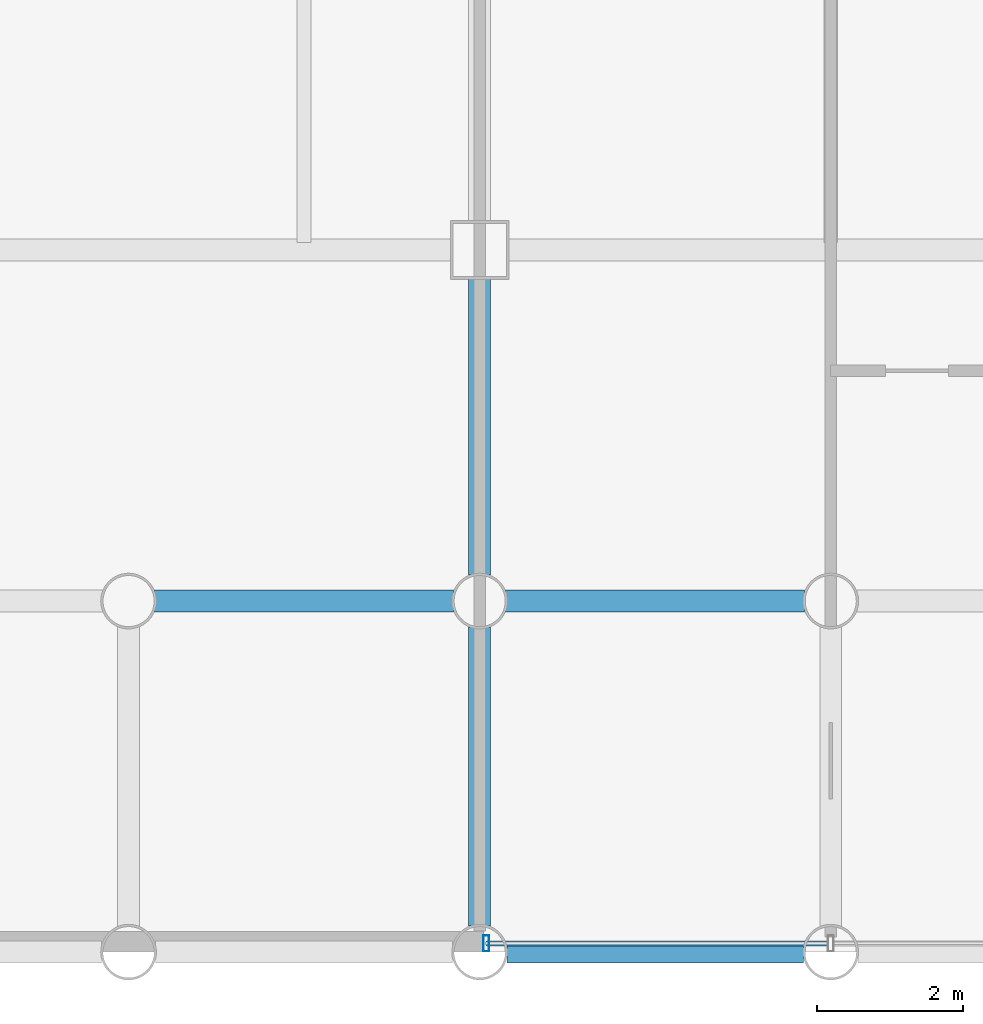
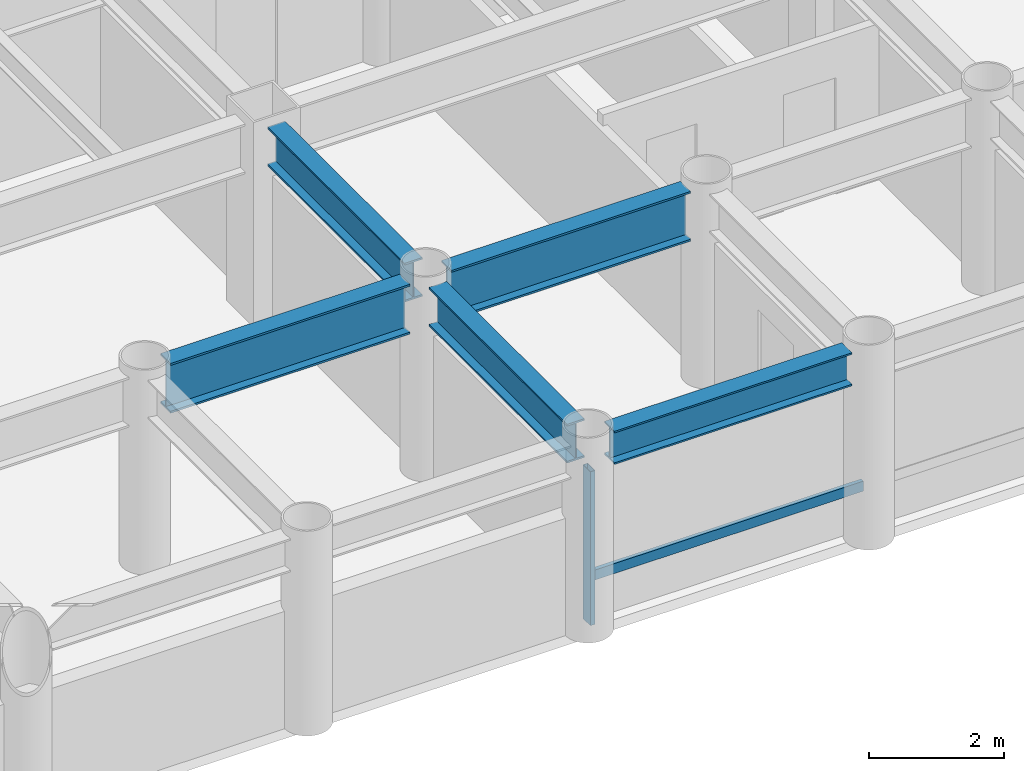
# One storey, part 2 of 21: 5 beams, 2 members, 1 element without a shape of its own.
"""IFC4 building model written with IfcOpenShell, lengths in metres."""

from ifc_helpers import new_model, si_unit, direction, frame, origin, origin_2d, place, context, subcontext, project, spatial, hollow_rectangle, i_section, extrude, material, layer, layer_set, material_profile, profile_set, type_object, element, aggregate, save


model = new_model("IFC4")

# Units and contexts
model_context = context("Model", 3, precision=1e-05, world=origin(), true_north=direction((0.0, 1.0)))
body_context = subcontext(model_context, "Body", "Model", "MODEL_VIEW")
ifc_project = project(units=[si_unit("LENGTHUNIT", "METRE"), si_unit("AREAUNIT", "SQUARE_METRE"), si_unit("VOLUMEUNIT", "CUBIC_METRE"), si_unit("PLANEANGLEUNIT", "RADIAN"), si_unit("MASSUNIT", "GRAM", prefix="KILO")], contexts=[model_context])

# Site, building, storey
site_placement = place(None, origin())
site = spatial("IfcSite", under=ifc_project, at=site_placement, CompositionType="ELEMENT")
building_placement = place(site_placement, origin())
building = spatial("IfcBuilding", under=site, at=building_placement, Name="Kallvorn Hotel Tower", CompositionType="ELEMENT")
storey_placement = place(building_placement, frame((0.0, 0.0, 44.800048828125)))
storey = spatial("IfcBuildingStorey", under=building, at=storey_placement, Name="L09", CompositionType="ELEMENT", Elevation=44.800048828125)

# Beams
ifc_material_1 = material(Name="Structural steel S355JR", Category="steel")
ifc_material_profile_1 = material_profile(ifc_material_1, i_section(OverallWidth=0.300048828125, OverallDepth=0.60009765625, WebThickness=0.015380859375, FlangeThickness=0.030029296875, at=origin_2d()), Name="HE 600 B")
ifc_profile_set_1 = profile_set([ifc_material_profile_1], Name="Structural steel S355JR")
beam_type_1 = type_object("IfcBeamType", Name="BM_HE600B", PredefinedType="SPANDREL", material=ifc_profile_set_1)
beam_1_placement = place(storey_placement, frame((-4.428955078125, -24.0, 3.219970703125), z_axis=(1.0, 0.0, 0.0), x_axis=(0.0, 1.0, 0.0)))
element("IfcBeam", 1, at=beam_1_placement, inside=storey, type_object=beam_type_1, Name="L10 Perimeter Spandrel 156", PredefinedType="SPANDREL", context=body_context, shape_type="SweptSolid", body=[
    extrude(i_section(OverallWidth=0.300048828125, OverallDepth=0.60009765625, WebThickness=0.015380859375, FlangeThickness=0.030029296875, at=origin_2d()), origin(), (0.0, 0.0, 1.0), 4.057861328125),
])
ifc_material_2 = material(Name="Structural steel S355JR", Category="steel")
ifc_material_profile_2 = material_profile(ifc_material_2, i_section(OverallWidth=0.300048828125, OverallDepth=0.699951171875, WebThickness=0.01708984375, FlangeThickness=0.031982421875, at=origin_2d()), Name="HE 700 B")
ifc_profile_set_2 = profile_set([ifc_material_profile_2], Name="Structural steel S355JR")
beam_type_2 = type_object("IfcBeamType", Name="BM_HE700B", PredefinedType="BEAM", material=ifc_profile_set_2)
beam_2_placement = place(storey_placement, frame((-4.800048828125, -23.64404296875, 3.169921875), z_axis=(0.0, 1.0, 0.0), x_axis=(-1.0, 0.0, 0.0)))
element("IfcBeam", 2, at=beam_2_placement, inside=storey, type_object=beam_type_2, Name="L10 Primary Y-Girder 106", PredefinedType="BEAM", context=body_context, shape_type="SweptSolid", body=[
    extrude(i_section(OverallWidth=0.300048828125, OverallDepth=0.699951171875, WebThickness=0.01708984375, FlangeThickness=0.031982421875, at=origin_2d()), origin(), (0.0, 0.0, 1.0), 4.088134765625),
])
beam_3_placement = place(storey_placement, frame((-4.800048828125, -18.843994140625, 3.169921875), z_axis=(0.0, 1.0, 0.0), x_axis=(-1.0, 0.0, 0.0)))
element("IfcBeam", 3, at=beam_3_placement, inside=storey, type_object=beam_type_2, Name="L10 Primary Y-Girder 107", PredefinedType="BEAM", context=body_context, shape_type="SweptSolid", body=[
    extrude(i_section(OverallWidth=0.300048828125, OverallDepth=0.699951171875, WebThickness=0.01708984375, FlangeThickness=0.031982421875, at=origin_2d()), origin(), (0.0, 0.0, 1.0), 4.069091796875),
])
ifc_material_3 = material(Name="Structural steel S355JR", Category="steel")
ifc_material_profile_3 = material_profile(ifc_material_3, i_section(OverallWidth=0.300048828125, OverallDepth=0.89990234375, WebThickness=0.0185546875, FlangeThickness=0.034912109375, at=origin_2d()), Name="HE 900 B")
ifc_profile_set_3 = profile_set([ifc_material_profile_3], Name="Structural steel S355JR")
beam_type_3 = type_object("IfcBeamType", Name="BM_HE900B", PredefinedType="BEAM", material=ifc_profile_set_3)
beam_4_placement = place(storey_placement, frame((-9.243896484375, -19.199951171875, 3.070068359375), z_axis=(1.0, 0.0, 0.0), x_axis=(0.0, 1.0, 0.0)))
element("IfcBeam", 4, at=beam_4_placement, inside=storey, type_object=beam_type_3, Name="L10 Primary X-Girder 06", PredefinedType="BEAM", context=body_context, shape_type="SweptSolid", body=[
    extrude(i_section(OverallWidth=0.300048828125, OverallDepth=0.89990234375, WebThickness=0.0185546875, FlangeThickness=0.034912109375, at=origin_2d()), origin(), (0.0, 0.0, 1.0), 4.087890625),
])
beam_5_placement = place(storey_placement, frame((-4.444091796875, -19.199951171875, 3.070068359375), z_axis=(1.0, 0.0, 0.0), x_axis=(0.0, 1.0, 0.0)))
element("IfcBeam", 5, at=beam_5_placement, inside=storey, type_object=beam_type_3, Name="L10 Primary X-Girder 07", PredefinedType="BEAM", context=body_context, shape_type="SweptSolid", body=[
    extrude(i_section(OverallWidth=0.300048828125, OverallDepth=0.89990234375, WebThickness=0.0185546875, FlangeThickness=0.034912109375, at=origin_2d()), origin(), (0.0, 0.0, 1.0), 4.088134765625),
])

# Curtain wall, members
ifc_material_4 = material(Name="Thermally broken black-anodised aluminium AA 6063-T6", Category="aluminium")
ifc_layer = layer(ifc_material_4, 0.199951171875)
ifc_layer_set = layer_set([ifc_layer], Name="CW_SYS_3_HOTEL_LOW")
curtain_wall_type = type_object("IfcCurtainWallType", Name="CW_SYS_3_HOTEL_LOW", PredefinedType="USERDEFINED", material=ifc_layer_set)
curtain_wall_placement = place(storey_placement, origin())
curtain_wall = element("IfcCurtainWall", 6, at=curtain_wall_placement, inside=storey, type_object=curtain_wall_type, Name="L09 Dark-Glass Curtain Wall CW-L09-SC", ObjectType="UNITISED CURTAIN WALL", PredefinedType="USERDEFINED")
ifc_material_5 = material(Name="Thermally broken black-anodised aluminium AA 6063-T6", Category="aluminium")
ifc_material_profile_4 = material_profile(ifc_material_5, hollow_rectangle(XDim=0.080078125, YDim=0.219970703125, WallThickness=0.0048828125, at=origin_2d()), Name="MUL 220x80")
ifc_profile_set_4 = profile_set([ifc_material_profile_4], Name="Thermally broken black-anodised aluminium AA 6063-T6")
member_type_1 = type_object("IfcMemberType", Name="CW_MULLION_220x80", PredefinedType="MULLION", material=ifc_profile_set_4)
member_1_placement = place(storey_placement, frame((-4.7099609375, -23.8798828125, 0.02001953125), z_axis=(0.0, 0.0, 1.0), x_axis=(1.0, 0.0, 0.0)))
member_1 = element("IfcMember", 7, at=member_1_placement, type_object=member_type_1, Name="CW-L09-SC Mullion 00", PredefinedType="MULLION", context=body_context, shape_type="SweptSolid", body=[
    extrude(hollow_rectangle(XDim=0.080078125, YDim=0.219970703125, WallThickness=0.0048828125, at=origin_2d()), origin(), (0.0, 0.0, 1.0), 2.780029296875),
])
ifc_material_6 = material(Name="Thermally broken black-anodised aluminium AA 6063-T6", Category="aluminium")
ifc_material_profile_5 = material_profile(ifc_material_6, hollow_rectangle(XDim=0.070068359375, YDim=0.179931640625, WallThickness=0.00390625, at=origin_2d()), Name="TRN 180x70")
ifc_profile_set_5 = profile_set([ifc_material_profile_5], Name="Thermally broken black-anodised aluminium AA 6063-T6")
member_type_2 = type_object("IfcMemberType", Name="CW_TRANSOM_180x70", PredefinedType="USERDEFINED", material=ifc_profile_set_5)
member_2_placement = place(storey_placement, frame((-4.7099609375, -23.8798828125, 0.849853515625), z_axis=(1.0, 0.0, 0.0), x_axis=(0.0, 1.0, 0.0)))
member_2 = element("IfcMember", 8, at=member_2_placement, type_object=member_type_2, Name="CW-L09-SC Transom 00M", ObjectType="TRANSOM", PredefinedType="USERDEFINED", context=body_context, shape_type="SweptSolid", body=[
    extrude(hollow_rectangle(XDim=0.070068359375, YDim=0.179931640625, WallThickness=0.00390625, at=origin_2d()), origin(), (0.0, 0.0, 1.0), 4.669921875),
])
aggregate(curtain_wall, [member_1, member_2])

save(model, "model.ifc")
